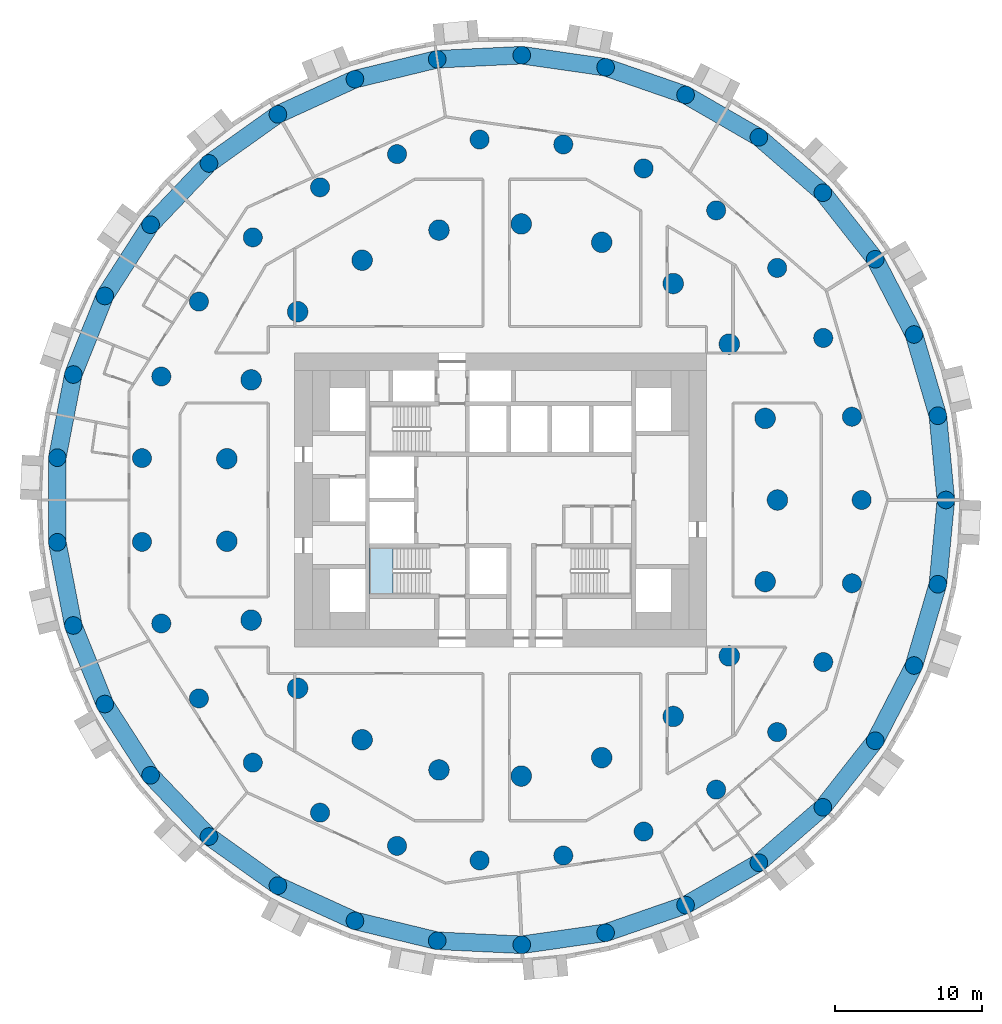
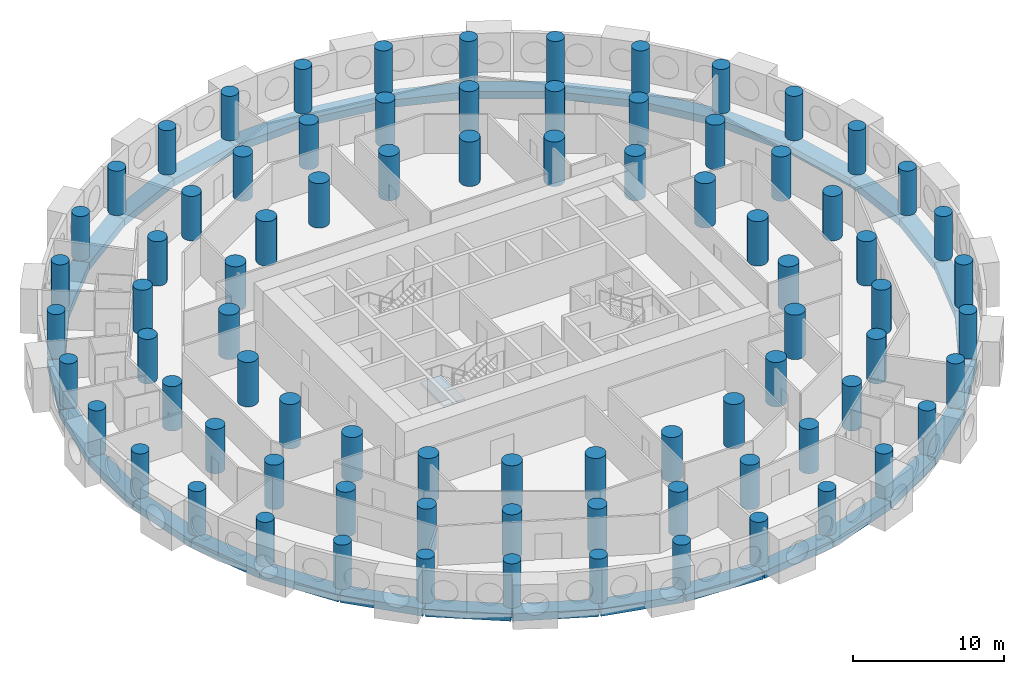
# One storey, part 1 of 11: 81 columns, 33 beams, 1 slab, 1 element without a shape of its own.
"""IFC4 building model written with IfcOpenShell, lengths in metres."""

from ifc_helpers import new_model, si_unit, direction, frame, origin, origin_2d, place, context, subcontext, project, spatial, polyline, rectangle, circle, outline, extrude, material, layer, layer_set, material_profile, profile_set, type_object, element, aggregate, save


model = new_model("IFC4")

# Units and contexts
model_context = context("Model", 3, precision=1e-05, world=origin(), true_north=direction((0.0, 1.0)))
body_context = subcontext(model_context, "Body", "Model", "MODEL_VIEW")
ifc_project = project(units=[si_unit("LENGTHUNIT", "METRE"), si_unit("AREAUNIT", "SQUARE_METRE"), si_unit("VOLUMEUNIT", "CUBIC_METRE"), si_unit("PLANEANGLEUNIT", "RADIAN"), si_unit("MASSUNIT", "GRAM", prefix="KILO")], contexts=[model_context])

# Site, building, storey
site_placement = place(None, origin())
site = spatial("IfcSite", under=ifc_project, at=site_placement, CompositionType="ELEMENT")
building_placement = place(site_placement, origin())
building = spatial("IfcBuilding", under=site, at=building_placement, Name="Tracery Tower", CompositionType="ELEMENT")
storey_placement = place(building_placement, frame((0.0, 0.0, 67.800048828125)))
storey = spatial("IfcBuildingStorey", under=building, at=storey_placement, Name="L16", CompositionType="ELEMENT", Elevation=67.800048828125)

# Columns
ifc_material_1 = material(Name="Concrete C60/75", Category="concrete")
ifc_material_profile_1 = material_profile(ifc_material_1, circle(Radius=0.60009765625, at=origin_2d()), Name="RC D1200")
ifc_profile_set_1 = profile_set([ifc_material_profile_1], Name="Concrete C60/75")
column_type_1 = type_object("IfcColumnType", Name="Ring 0 column 1200", PredefinedType="COLUMN", material=ifc_profile_set_1)
for number, where, z_axis, x_axis, name in (
    (1, (30.274658203125, 0.0, 0.0), (0.0, 0.0, 1.0), (1.0, 0.0, 0.0), "Ring 0 column 00 at L16"),
    (2, (29.7275390625, 5.7294921875, 0.0), (0.0, 0.0, 1.0), (1.0, 0.0, 0.0), "Ring 0 column 01 at L16"),
    (3, (28.10595703125, 11.251953125, 0.0), (0.0, 0.0, 1.0), (1.0, 0.0, 0.0), "Ring 0 column 02 at L16"),
    (4, (25.468505859375, 16.36767578125, 0.0), (0.0, 0.0, 1.0), (1.0, 0.0, 0.0), "Ring 0 column 03 at L16"),
    (5, (21.910888671875, 20.891845703125, 0.0), (0.0, 0.0, 1.0), (1.0, 0.0, 0.0), "Ring 0 column 04 at L16"),
    (6, (17.56103515625, 24.660888671875, 0.0), (0.0, 0.0, 1.0), (1.0, 0.0, 0.0), "Ring 0 column 05 at L16"),
    (7, (12.576416015625, 27.538818359375, 0.0), (0.0, 0.0, 1.0), (1.0, 0.0, 0.0), "Ring 0 column 06 at L16"),
    (8, (7.137451171875, 29.421142578125, 0.0), (0.0, 0.0, 1.0), (1.0, 0.0, 0.0), "Ring 0 column 07 at L16"),
    (9, (1.4404296875, 30.240234375, 0.0), (0.0, 0.0, 1.0), (1.0, 0.0, 0.0), "Ring 0 column 08 at L16"),
    (10, (-4.30859375, 29.96630859375, 0.0), (0.0, 0.0, 1.0), (1.0, 0.0, 0.0), "Ring 0 column 09 at L16"),
    (11, (-9.90185546875, 28.609619140625, 0.0), (0.0, 0.0, 1.0), (1.0, 0.0, 0.0), "Ring 0 column 10 at L16"),
    (12, (-15.13720703125, 26.218505859375, 0.0), (0.0, 0.0, 1.0), (1.0, 0.0, 0.0), "Ring 0 column 11 at L16"),
    (13, (-19.82568359375, 22.8798828125, 0.0), (0.0, 0.0, 1.0), (1.0, 0.0, 0.0), "Ring 0 column 12 at L16"),
    (14, (-23.79736328125, 18.714599609375, 0.0), (0.0, 0.0, 1.0), (1.0, 0.0, 0.0), "Ring 0 column 13 at L16"),
    (15, (-26.9091796875, 13.87255859375, 0.0), (0.0, 0.0, 1.0), (1.0, 0.0, 0.0), "Ring 0 column 14 at L16"),
    (16, (-29.04833984375, 8.529296875, 0.0), (0.0, 0.0, 1.0), (1.0, 0.0, 0.0), "Ring 0 column 15 at L16"),
    (17, (-30.137451171875, 2.877685546875, 0.0), (0.0, 0.0, 1.0), (1.0, 0.0, 0.0), "Ring 0 column 16 at L16"),
    (18, (-30.137451171875, -2.877685546875, 0.0), (0.0, 0.0, 1.0), (1.0, 0.0, 0.0), "Ring 0 column 17 at L16"),
    (19, (-29.04833984375, -8.529296875, 0.0), (0.0, 0.0, 1.0), (1.0, 0.0, 0.0), "Ring 0 column 18 at L16"),
    (20, (-26.9091796875, -13.87255859375, 0.0), (0.0, 0.0, 1.0), (1.0, 0.0, 0.0), "Ring 0 column 19 at L16"),
    (21, (-23.79736328125, -18.714599609375, 0.0), (0.0, 0.0, 1.0), (1.0, 0.0, 0.0), "Ring 0 column 20 at L16"),
    (22, (-19.82568359375, -22.8798828125, 0.0), (0.0, 0.0, 1.0), (1.0, 0.0, 0.0), "Ring 0 column 21 at L16"),
    (23, (-15.13720703125, -26.218505859375, 0.0), (0.0, 0.0, 1.0), (1.0, 0.0, 0.0), "Ring 0 column 22 at L16"),
    (24, (-9.90185546875, -28.609619140625, 0.0), (0.0, 0.0, 1.0), (1.0, 0.0, 0.0), "Ring 0 column 23 at L16"),
    (25, (-4.30859375, -29.96630859375, 0.0), (0.0, 0.0, 1.0), (1.0, 0.0, 0.0), "Ring 0 column 24 at L16"),
    (26, (1.4404296875, -30.240234375, 0.0), (0.0, 0.0, 1.0), (1.0, 0.0, 0.0), "Ring 0 column 25 at L16"),
    (27, (7.137451171875, -29.421142578125, 0.0), (0.0, 0.0, 1.0), (1.0, 0.0, 0.0), "Ring 0 column 26 at L16"),
    (28, (12.576416015625, -27.538818359375, 0.0), (0.0, 0.0, 1.0), (1.0, 0.0, 0.0), "Ring 0 column 27 at L16"),
    (29, (17.56103515625, -24.660888671875, 0.0), (0.0, 0.0, 1.0), (1.0, 0.0, 0.0), "Ring 0 column 28 at L16"),
    (30, (21.910888671875, -20.891845703125, 0.0), (0.0, 0.0, 1.0), (1.0, 0.0, 0.0), "Ring 0 column 29 at L16"),
    (31, (25.468505859375, -16.36767578125, 0.0), (0.0, 0.0, 1.0), (1.0, 0.0, 0.0), "Ring 0 column 30 at L16"),
    (32, (28.10595703125, -11.251953125, 0.0), (0.0, 0.0, 1.0), (1.0, 0.0, 0.0), "Ring 0 column 31 at L16"),
    (33, (29.7275390625, -5.7294921875, 0.0), (0.0, 0.0, 1.0), (1.0, 0.0, 0.0), "Ring 0 column 32 at L16"),
):
    element("IfcColumn", number, at=place(storey_placement, frame(where, z_axis=z_axis, x_axis=x_axis)), inside=storey, type_object=column_type_1, Name=name, PredefinedType="COLUMN", context=body_context, shape_type="SweptSolid", body=[
        extrude(circle(Radius=0.60009765625, at=origin_2d()), origin(), (0.0, 0.0, 1.0), 3.599853515625),
    ])
ifc_material_2 = material(Name="Concrete C60/75", Category="concrete")
ifc_material_profile_2 = material_profile(ifc_material_2, circle(Radius=0.64990234375, at=origin_2d()), Name="RC D1300")
ifc_profile_set_2 = profile_set([ifc_material_profile_2], Name="Concrete C60/75")
column_type_2 = type_object("IfcColumnType", Name="Ring 1 column 1300", PredefinedType="COLUMN", material=ifc_profile_set_2)
for number, where, z_axis, x_axis, name in (
    (34, (24.547607421875, 0.0, 0.0), (0.0, 0.0, 1.0), (1.0, 0.0, 0.0), "Ring 1 column 00 at L16"),
    (35, (23.885986328125, 5.6611328125, 0.0), (0.0, 0.0, 1.0), (1.0, 0.0, 0.0), "Ring 1 column 01 at L16"),
    (36, (21.9365234375, 11.01708984375, 0.0), (0.0, 0.0, 1.0), (1.0, 0.0, 0.0), "Ring 1 column 02 at L16"),
    (37, (18.8046875, 15.779052734375, 0.0), (0.0, 0.0, 1.0), (1.0, 0.0, 0.0), "Ring 1 column 03 at L16"),
    (38, (14.658935546875, 19.690185546875, 0.0), (0.0, 0.0, 1.0), (1.0, 0.0, 0.0), "Ring 1 column 04 at L16"),
    (39, (9.722900390625, 22.5400390625, 0.0), (0.0, 0.0, 1.0), (1.0, 0.0, 0.0), "Ring 1 column 05 at L16"),
    (40, (4.2626953125, 24.1748046875, 0.0), (0.0, 0.0, 1.0), (1.0, 0.0, 0.0), "Ring 1 column 06 at L16"),
    (41, (-1.42724609375, 24.506103515625, 0.0), (0.0, 0.0, 1.0), (1.0, 0.0, 0.0), "Ring 1 column 07 at L16"),
    (42, (-7.040283203125, 23.516357421875, 0.0), (0.0, 0.0, 1.0), (1.0, 0.0, 0.0), "Ring 1 column 08 at L16"),
    (43, (-12.273681640625, 21.2587890625, 0.0), (0.0, 0.0, 1.0), (1.0, 0.0, 0.0), "Ring 1 column 09 at L16"),
    (44, (-16.845703125, 17.855224609375, 0.0), (0.0, 0.0, 1.0), (1.0, 0.0, 0.0), "Ring 1 column 10 at L16"),
    (45, (-20.50927734375, 13.4892578125, 0.0), (0.0, 0.0, 1.0), (1.0, 0.0, 0.0), "Ring 1 column 11 at L16"),
    (46, (-23.0673828125, 8.395751953125, 0.0), (0.0, 0.0, 1.0), (1.0, 0.0, 0.0), "Ring 1 column 12 at L16"),
    (47, (-24.381591796875, 2.849853515625, 0.0), (0.0, 0.0, 1.0), (1.0, 0.0, 0.0), "Ring 1 column 13 at L16"),
    (48, (-24.381591796875, -2.849853515625, 0.0), (0.0, 0.0, 1.0), (1.0, 0.0, 0.0), "Ring 1 column 14 at L16"),
    (49, (-23.0673828125, -8.395751953125, 0.0), (0.0, 0.0, 1.0), (1.0, 0.0, 0.0), "Ring 1 column 15 at L16"),
    (50, (-20.50927734375, -13.4892578125, 0.0), (0.0, 0.0, 1.0), (1.0, 0.0, 0.0), "Ring 1 column 16 at L16"),
    (51, (-16.845703125, -17.85546875, 0.0), (0.0, 0.0, 1.0), (1.0, 0.0, 0.0), "Ring 1 column 17 at L16"),
    (52, (-12.27392578125, -21.2587890625, 0.0), (0.0, 0.0, 1.0), (1.0, 0.0, 0.0), "Ring 1 column 18 at L16"),
    (53, (-7.040283203125, -23.516357421875, 0.0), (0.0, 0.0, 1.0), (1.0, 0.0, 0.0), "Ring 1 column 19 at L16"),
    (54, (-1.42724609375, -24.506103515625, 0.0), (0.0, 0.0, 1.0), (1.0, 0.0, 0.0), "Ring 1 column 20 at L16"),
    (55, (4.2626953125, -24.1748046875, 0.0), (0.0, 0.0, 1.0), (1.0, 0.0, 0.0), "Ring 1 column 21 at L16"),
    (56, (9.722900390625, -22.5400390625, 0.0), (0.0, 0.0, 1.0), (1.0, 0.0, 0.0), "Ring 1 column 22 at L16"),
    (57, (14.658935546875, -19.690185546875, 0.0), (0.0, 0.0, 1.0), (1.0, 0.0, 0.0), "Ring 1 column 23 at L16"),
    (58, (18.8046875, -15.779052734375, 0.0), (0.0, 0.0, 1.0), (1.0, 0.0, 0.0), "Ring 1 column 24 at L16"),
    (59, (21.9365234375, -11.01708984375, 0.0), (0.0, 0.0, 1.0), (1.0, 0.0, 0.0), "Ring 1 column 25 at L16"),
    (60, (23.885986328125, -5.6611328125, 0.0), (0.0, 0.0, 1.0), (1.0, 0.0, 0.0), "Ring 1 column 26 at L16"),
):
    element("IfcColumn", number, at=place(storey_placement, frame(where, z_axis=z_axis, x_axis=x_axis)), inside=storey, type_object=column_type_2, Name=name, PredefinedType="COLUMN", context=body_context, shape_type="SweptSolid", body=[
        extrude(circle(Radius=0.64990234375, at=origin_2d()), origin(), (0.0, 0.0, 1.0), 3.599853515625),
    ])
ifc_material_3 = material(Name="Concrete C60/75", Category="concrete")
ifc_material_profile_3 = material_profile(ifc_material_3, circle(Radius=0.699951171875, at=origin_2d()), Name="RC D1400")
ifc_profile_set_3 = profile_set([ifc_material_profile_3], Name="Concrete C60/75")
column_type_3 = type_object("IfcColumnType", Name="Ring 2 column 1400", PredefinedType="COLUMN", material=ifc_profile_set_3)
for number, where, z_axis, x_axis, name in (
    (61, (18.822265625, 0.0, 0.0), (0.0, 0.0, 1.0), (1.0, 0.0, 0.0), "Ring 2 column 00 at L16"),
    (62, (17.986083984375, 5.5478515625, 0.0), (0.0, 0.0, 1.0), (1.0, 0.0, 0.0), "Ring 2 column 01 at L16"),
    (63, (15.551513671875, 10.602783203125, 0.0), (0.0, 0.0, 1.0), (1.0, 0.0, 0.0), "Ring 2 column 02 at L16"),
    (64, (11.7353515625, 14.7158203125, 0.0), (0.0, 0.0, 1.0), (1.0, 0.0, 0.0), "Ring 2 column 03 at L16"),
    (65, (6.87646484375, 17.52099609375, 0.0), (0.0, 0.0, 1.0), (1.0, 0.0, 0.0), "Ring 2 column 04 at L16"),
    (66, (1.406494140625, 18.76953125, 0.0), (0.0, 0.0, 1.0), (1.0, 0.0, 0.0), "Ring 2 column 05 at L16"),
    (67, (-4.188232421875, 18.350341796875, 0.0), (0.0, 0.0, 1.0), (1.0, 0.0, 0.0), "Ring 2 column 06 at L16"),
    (68, (-9.4111328125, 16.300537109375, 0.0), (0.0, 0.0, 1.0), (1.0, 0.0, 0.0), "Ring 2 column 07 at L16"),
    (69, (-13.797607421875, 12.802490234375, 0.0), (0.0, 0.0, 1.0), (1.0, 0.0, 0.0), "Ring 2 column 08 at L16"),
    (70, (-16.958251953125, 8.16650390625, 0.0), (0.0, 0.0, 1.0), (1.0, 0.0, 0.0), "Ring 2 column 09 at L16"),
    (71, (-18.612060546875, 2.805419921875, 0.0), (0.0, 0.0, 1.0), (1.0, 0.0, 0.0), "Ring 2 column 10 at L16"),
    (72, (-18.612060546875, -2.805419921875, 0.0), (0.0, 0.0, 1.0), (1.0, 0.0, 0.0), "Ring 2 column 11 at L16"),
    (73, (-16.958251953125, -8.166748046875, 0.0), (0.0, 0.0, 1.0), (1.0, 0.0, 0.0), "Ring 2 column 12 at L16"),
    (74, (-13.797607421875, -12.80224609375, 0.0), (0.0, 0.0, 1.0), (1.0, 0.0, 0.0), "Ring 2 column 13 at L16"),
    (75, (-9.4111328125, -16.300537109375, 0.0), (0.0, 0.0, 1.0), (1.0, 0.0, 0.0), "Ring 2 column 14 at L16"),
    (76, (-4.188232421875, -18.350341796875, 0.0), (0.0, 0.0, 1.0), (1.0, 0.0, 0.0), "Ring 2 column 15 at L16"),
    (77, (1.406494140625, -18.76953125, 0.0), (0.0, 0.0, 1.0), (1.0, 0.0, 0.0), "Ring 2 column 16 at L16"),
    (78, (6.87646484375, -17.52099609375, 0.0), (0.0, 0.0, 1.0), (1.0, 0.0, 0.0), "Ring 2 column 17 at L16"),
    (79, (11.7353515625, -14.7158203125, 0.0), (0.0, 0.0, 1.0), (1.0, 0.0, 0.0), "Ring 2 column 18 at L16"),
    (80, (15.551513671875, -10.602783203125, 0.0), (0.0, 0.0, 1.0), (1.0, 0.0, 0.0), "Ring 2 column 19 at L16"),
    (81, (17.986083984375, -5.5478515625, 0.0), (0.0, 0.0, 1.0), (1.0, 0.0, 0.0), "Ring 2 column 20 at L16"),
):
    element("IfcColumn", number, at=place(storey_placement, frame(where, z_axis=z_axis, x_axis=x_axis)), inside=storey, type_object=column_type_3, Name=name, PredefinedType="COLUMN", context=body_context, shape_type="SweptSolid", body=[
        extrude(circle(Radius=0.699951171875, at=origin_2d()), origin(), (0.0, 0.0, 1.0), 3.599853515625),
    ])

# Beams
ifc_material_4 = material(Name="Concrete C60/75", Category="concrete")
ifc_material_profile_4 = material_profile(ifc_material_4, rectangle(XDim=1.199951171875, YDim=0.60009765625, at=origin_2d()), Name="RC 1200x600")
ifc_profile_set_4 = profile_set([ifc_material_profile_4], Name="Concrete C60/75")
beam_type = type_object("IfcBeamType", Name="Perimeter band beam 1200x600", PredefinedType="BEAM", material=ifc_profile_set_4)
for number, where, z_axis, x_axis, name in (
    (82, (30.274658203125, 0.0, -0.75), (-0.095059309677, 0.995471610667, 0.0), (-0.995471610667, -0.095059309677, 0.0), "Perimeter beam 0.00 under L16"),
    (83, (29.7275390625, 5.7294921875, -0.75), (-0.281739145896, 0.959491038869, 0.0), (-0.959491038869, -0.281739145896, 0.0), "Perimeter beam 0.01 under L16"),
    (84, (28.10595703125, 11.251953125, -0.75), (-0.458242010493, 0.88882746347, 0.0), (-0.88882746347, -0.458242010493, 0.0), "Perimeter beam 0.02 under L16"),
):
    element("IfcBeam", number, at=place(storey_placement, frame(where, z_axis=z_axis, x_axis=x_axis)), inside=storey, type_object=beam_type, Name=name, PredefinedType="BEAM", context=body_context, shape_type="SweptSolid", body=[
        extrude(rectangle(XDim=1.199951171875, YDim=0.60009765625, at=origin_2d()), origin(), (0.0, 0.0, 1.0), 5.755615234375),
    ])
beam_1_placement = place(storey_placement, frame((25.468505859375, 16.36767578125, -0.75), z_axis=(-0.618134362257, 0.786072458618, 0.0), x_axis=(-0.786072458618, -0.618134362257, 0.0)))
element("IfcBeam", 85, at=beam_1_placement, inside=storey, type_object=beam_type, Name="Perimeter beam 0.03 under L16", PredefinedType="BEAM", context=body_context, shape_type="SweptSolid", body=[
    extrude(rectangle(XDim=1.199951171875, YDim=0.60009765625, at=origin_2d()), origin(), (0.0, 0.0, 1.0), 5.75537109375),
])
beam_2_placement = place(storey_placement, frame((21.910888671875, 20.891845703125, -0.75), z_axis=(-0.755760456715, 0.65484817482, 0.0), x_axis=(-0.65484817482, -0.755760456715, 0.0)))
element("IfcBeam", 86, at=beam_2_placement, inside=storey, type_object=beam_type, Name="Perimeter beam 0.04 under L16", PredefinedType="BEAM", context=body_context, shape_type="SweptSolid", body=[
    extrude(rectangle(XDim=1.199951171875, YDim=0.60009765625, at=origin_2d()), origin(), (0.0, 0.0, 1.0), 5.755615234375),
])
beam_3_placement = place(storey_placement, frame((17.56103515625, 24.660888671875, -0.75), z_axis=(-0.866021003874, 0.50000762079, 0.0), x_axis=(-0.50000762079, -0.866021003874, 0.0)))
element("IfcBeam", 87, at=beam_3_placement, inside=storey, type_object=beam_type, Name="Perimeter beam 0.05 under L16", PredefinedType="BEAM", context=body_context, shape_type="SweptSolid", body=[
    extrude(rectangle(XDim=1.199951171875, YDim=0.60009765625, at=origin_2d()), origin(), (0.0, 0.0, 1.0), 5.755859375),
])
beam_4_placement = place(storey_placement, frame((12.576416015625, 27.538818359375, -0.75), z_axis=(-0.945007252869, 0.327049372458, 0.0), x_axis=(-0.327049372458, -0.945007252869, 0.0)))
element("IfcBeam", 88, at=beam_4_placement, inside=storey, type_object=beam_type, Name="Perimeter beam 0.06 under L16", PredefinedType="BEAM", context=body_context, shape_type="SweptSolid", body=[
    extrude(rectangle(XDim=1.199951171875, YDim=0.60009765625, at=origin_2d()), origin(), (0.0, 0.0, 1.0), 5.75537109375),
])
for number, where, z_axis, x_axis, name in (
    (89, (7.137451171875, 29.421142578125, -0.75), (-0.989821839174, 0.142312075013, 0.0), (-0.142312075013, -0.989821839174, 0.0), "Perimeter beam 0.07 under L16"),
    (90, (1.4404296875, 30.240234375, -0.75), (-0.998866793759, -0.047593364303, 0.0), (0.047593364303, -0.998866793759, 0.0), "Perimeter beam 0.08 under L16"),
):
    element("IfcBeam", number, at=place(storey_placement, frame(where, z_axis=z_axis, x_axis=x_axis)), inside=storey, type_object=beam_type, Name=name, PredefinedType="BEAM", context=body_context, shape_type="SweptSolid", body=[
        extrude(rectangle(XDim=1.199951171875, YDim=0.60009765625, at=origin_2d()), origin(), (0.0, 0.0, 1.0), 5.755615234375),
    ])
beam_5_placement = place(storey_placement, frame((-4.30859375, 29.96630859375, -0.75), z_axis=(-0.971820371509, -0.235722645328, 0.0), x_axis=(0.235722645328, -0.971820371509, 0.0)))
element("IfcBeam", 91, at=beam_5_placement, inside=storey, type_object=beam_type, Name="Perimeter beam 0.09 under L16", PredefinedType="BEAM", context=body_context, shape_type="SweptSolid", body=[
    extrude(rectangle(XDim=1.199951171875, YDim=0.60009765625, at=origin_2d()), origin(), (0.0, 0.0, 1.0), 5.75537109375),
])
for number, where, z_axis, x_axis, name in (
    (92, (-9.90185546875, 28.609619140625, -0.75), (-0.909618316865, -0.415444963411, 0.0), (0.415444963411, -0.909618316865, 0.0), "Perimeter beam 0.10 under L16"),
    (93, (-15.13720703125, 26.218505859375, -0.75), (-0.8145780864, -0.580053912285, 0.0), (0.580053912285, -0.8145780864, 0.0), "Perimeter beam 0.11 under L16"),
):
    element("IfcBeam", number, at=place(storey_placement, frame(where, z_axis=z_axis, x_axis=x_axis)), inside=storey, type_object=beam_type, Name=name, PredefinedType="BEAM", context=body_context, shape_type="SweptSolid", body=[
        extrude(rectangle(XDim=1.199951171875, YDim=0.60009765625, at=origin_2d()), origin(), (0.0, 0.0, 1.0), 5.755615234375),
    ])
beam_6_placement = place(storey_placement, frame((-19.82568359375, 22.8798828125, -0.75), z_axis=(-0.690087218267, -0.723726212863, 0.0), x_axis=(0.723726212863, -0.690087218267, 0.0)))
element("IfcBeam", 94, at=beam_6_placement, inside=storey, type_object=beam_type, Name="Perimeter beam 0.12 under L16", PredefinedType="BEAM", context=body_context, shape_type="SweptSolid", body=[
    extrude(rectangle(XDim=1.199951171875, YDim=0.60009765625, at=origin_2d()), origin(), (0.0, 0.0, 1.0), 5.75537109375),
])
beam_7_placement = place(storey_placement, frame((-23.79736328125, 18.714599609375, -0.75), z_axis=(-0.540643964602, -0.841251510274, 0.0), x_axis=(0.841251510274, -0.540643964602, 0.0)))
element("IfcBeam", 95, at=beam_7_placement, inside=storey, type_object=beam_type, Name="Perimeter beam 0.13 under L16", PredefinedType="BEAM", context=body_context, shape_type="SweptSolid", body=[
    extrude(rectangle(XDim=1.199951171875, YDim=0.60009765625, at=origin_2d()), origin(), (0.0, 0.0, 1.0), 5.755859375),
])
for number, where, z_axis, x_axis, name in (
    (96, (-26.9091796875, 13.87255859375, -0.75), (-0.371668572289, -0.928365484264, 0.0), (0.928365484264, -0.371668572289, 0.0), "Perimeter beam 0.14 under L16"),
    (97, (-29.04833984375, 8.529296875, -0.75), (-0.189226539295, -0.981933458451, 0.0), (0.981933458451, -0.189226539295, 0.0), "Perimeter beam 0.15 under L16"),
):
    element("IfcBeam", number, at=place(storey_placement, frame(where, z_axis=z_axis, x_axis=x_axis)), inside=storey, type_object=beam_type, Name=name, PredefinedType="BEAM", context=body_context, shape_type="SweptSolid", body=[
        extrude(rectangle(XDim=1.199951171875, YDim=0.60009765625, at=origin_2d()), origin(), (0.0, 0.0, 1.0), 5.755615234375),
    ])
beam_8_placement = place(storey_placement, frame((-30.137451171875, 2.877685546875, -0.75), z_axis=(0.0, -1.0, 0.0), x_axis=(1.0, 0.0, 0.0)))
element("IfcBeam", 98, at=beam_8_placement, inside=storey, type_object=beam_type, Name="Perimeter beam 0.16 under L16", PredefinedType="BEAM", context=body_context, shape_type="SweptSolid", body=[
    extrude(rectangle(XDim=1.199951171875, YDim=0.60009765625, at=origin_2d()), origin(), (0.0, 0.0, 1.0), 5.75537109375),
])
for number, where, z_axis, x_axis, name in (
    (99, (-30.137451171875, -2.877685546875, -0.75), (0.189226539295, -0.981933458451, 0.0), (0.981933458451, 0.189226539295, 0.0), "Perimeter beam 0.17 under L16"),
    (100, (-29.04833984375, -8.529296875, -0.75), (0.371668572289, -0.928365484264, 0.0), (0.928365484264, 0.371668572289, 0.0), "Perimeter beam 0.18 under L16"),
):
    element("IfcBeam", number, at=place(storey_placement, frame(where, z_axis=z_axis, x_axis=x_axis)), inside=storey, type_object=beam_type, Name=name, PredefinedType="BEAM", context=body_context, shape_type="SweptSolid", body=[
        extrude(rectangle(XDim=1.199951171875, YDim=0.60009765625, at=origin_2d()), origin(), (0.0, 0.0, 1.0), 5.755615234375),
    ])
beam_9_placement = place(storey_placement, frame((-26.9091796875, -13.87255859375, -0.75), z_axis=(0.540643964602, -0.841251510274, 0.0), x_axis=(0.841251510274, 0.540643964602, 0.0)))
element("IfcBeam", 101, at=beam_9_placement, inside=storey, type_object=beam_type, Name="Perimeter beam 0.19 under L16", PredefinedType="BEAM", context=body_context, shape_type="SweptSolid", body=[
    extrude(rectangle(XDim=1.199951171875, YDim=0.60009765625, at=origin_2d()), origin(), (0.0, 0.0, 1.0), 5.755859375),
])
beam_10_placement = place(storey_placement, frame((-23.79736328125, -18.714599609375, -0.75), z_axis=(0.690087218267, -0.723726212863, 0.0), x_axis=(0.723726212863, 0.690087218267, 0.0)))
element("IfcBeam", 102, at=beam_10_placement, inside=storey, type_object=beam_type, Name="Perimeter beam 0.20 under L16", PredefinedType="BEAM", context=body_context, shape_type="SweptSolid", body=[
    extrude(rectangle(XDim=1.199951171875, YDim=0.60009765625, at=origin_2d()), origin(), (0.0, 0.0, 1.0), 5.75537109375),
])
for number, where, z_axis, x_axis, name in (
    (103, (-19.82568359375, -22.8798828125, -0.75), (0.8145780864, -0.580053912285, 0.0), (0.580053912285, 0.8145780864, 0.0), "Perimeter beam 0.21 under L16"),
    (104, (-15.13720703125, -26.218505859375, -0.75), (0.909618316865, -0.415444963411, 0.0), (0.415444963411, 0.909618316865, 0.0), "Perimeter beam 0.22 under L16"),
):
    element("IfcBeam", number, at=place(storey_placement, frame(where, z_axis=z_axis, x_axis=x_axis)), inside=storey, type_object=beam_type, Name=name, PredefinedType="BEAM", context=body_context, shape_type="SweptSolid", body=[
        extrude(rectangle(XDim=1.199951171875, YDim=0.60009765625, at=origin_2d()), origin(), (0.0, 0.0, 1.0), 5.755615234375),
    ])
beam_11_placement = place(storey_placement, frame((-9.90185546875, -28.609619140625, -0.75), z_axis=(0.971820371509, -0.235722645328, 0.0), x_axis=(0.235722645328, 0.971820371509, 0.0)))
element("IfcBeam", 105, at=beam_11_placement, inside=storey, type_object=beam_type, Name="Perimeter beam 0.23 under L16", PredefinedType="BEAM", context=body_context, shape_type="SweptSolid", body=[
    extrude(rectangle(XDim=1.199951171875, YDim=0.60009765625, at=origin_2d()), origin(), (0.0, 0.0, 1.0), 5.75537109375),
])
for number, where, z_axis, x_axis, name in (
    (106, (-4.30859375, -29.96630859375, -0.75), (0.998866793759, -0.047593364303, 0.0), (0.047593364303, 0.998866793759, 0.0), "Perimeter beam 0.24 under L16"),
    (107, (1.4404296875, -30.240234375, -0.75), (0.989821839174, 0.142312075013, 0.0), (-0.142312075013, 0.989821839174, 0.0), "Perimeter beam 0.25 under L16"),
):
    element("IfcBeam", number, at=place(storey_placement, frame(where, z_axis=z_axis, x_axis=x_axis)), inside=storey, type_object=beam_type, Name=name, PredefinedType="BEAM", context=body_context, shape_type="SweptSolid", body=[
        extrude(rectangle(XDim=1.199951171875, YDim=0.60009765625, at=origin_2d()), origin(), (0.0, 0.0, 1.0), 5.755615234375),
    ])
beam_12_placement = place(storey_placement, frame((7.137451171875, -29.421142578125, -0.75), z_axis=(0.945007252869, 0.327049372458, 0.0), x_axis=(-0.327049372458, 0.945007252869, 0.0)))
element("IfcBeam", 108, at=beam_12_placement, inside=storey, type_object=beam_type, Name="Perimeter beam 0.26 under L16", PredefinedType="BEAM", context=body_context, shape_type="SweptSolid", body=[
    extrude(rectangle(XDim=1.199951171875, YDim=0.60009765625, at=origin_2d()), origin(), (0.0, 0.0, 1.0), 5.75537109375),
])
beam_13_placement = place(storey_placement, frame((12.576416015625, -27.538818359375, -0.75), z_axis=(0.866021003874, 0.50000762079, 0.0), x_axis=(-0.50000762079, 0.866021003874, 0.0)))
element("IfcBeam", 109, at=beam_13_placement, inside=storey, type_object=beam_type, Name="Perimeter beam 0.27 under L16", PredefinedType="BEAM", context=body_context, shape_type="SweptSolid", body=[
    extrude(rectangle(XDim=1.199951171875, YDim=0.60009765625, at=origin_2d()), origin(), (0.0, 0.0, 1.0), 5.755859375),
])
beam_14_placement = place(storey_placement, frame((17.56103515625, -24.660888671875, -0.75), z_axis=(0.755760456715, 0.65484817482, 0.0), x_axis=(-0.65484817482, 0.755760456715, 0.0)))
element("IfcBeam", 110, at=beam_14_placement, inside=storey, type_object=beam_type, Name="Perimeter beam 0.28 under L16", PredefinedType="BEAM", context=body_context, shape_type="SweptSolid", body=[
    extrude(rectangle(XDim=1.199951171875, YDim=0.60009765625, at=origin_2d()), origin(), (0.0, 0.0, 1.0), 5.755615234375),
])
beam_15_placement = place(storey_placement, frame((21.910888671875, -20.891845703125, -0.75), z_axis=(0.618134362257, 0.786072458618, 0.0), x_axis=(-0.786072458618, 0.618134362257, 0.0)))
element("IfcBeam", 111, at=beam_15_placement, inside=storey, type_object=beam_type, Name="Perimeter beam 0.29 under L16", PredefinedType="BEAM", context=body_context, shape_type="SweptSolid", body=[
    extrude(rectangle(XDim=1.199951171875, YDim=0.60009765625, at=origin_2d()), origin(), (0.0, 0.0, 1.0), 5.75537109375),
])
for number, where, z_axis, x_axis, name in (
    (112, (25.468505859375, -16.36767578125, -0.75), (0.458242010493, 0.88882746347, 0.0), (-0.88882746347, 0.458242010493, 0.0), "Perimeter beam 0.30 under L16"),
    (113, (28.10595703125, -11.251953125, -0.75), (0.281739145896, 0.959491038869, 0.0), (-0.959491038869, 0.281739145896, 0.0), "Perimeter beam 0.31 under L16"),
    (114, (29.7275390625, -5.7294921875, -0.75), (0.095059309677, 0.995471610667, 0.0), (-0.995471610667, 0.095059309677, 0.0), "Perimeter beam 0.32 under L16"),
):
    element("IfcBeam", number, at=place(storey_placement, frame(where, z_axis=z_axis, x_axis=x_axis)), inside=storey, type_object=beam_type, Name=name, PredefinedType="BEAM", context=body_context, shape_type="SweptSolid", body=[
        extrude(rectangle(XDim=1.199951171875, YDim=0.60009765625, at=origin_2d()), origin(), (0.0, 0.0, 1.0), 5.755615234375),
    ])

# Stair, slab
ifc_material_5 = material(Name="Concrete C32/40", Category="concrete")
stair_type = type_object("IfcStairType", Name="Core stair 22 risers", PredefinedType="HALF_TURN_STAIR", material=ifc_material_5)
stair_placement = place(storey_placement, origin())
stair = element("IfcStair", 115, at=stair_placement, inside=storey, type_object=stair_type, Name="L16 stair ST1", PredefinedType="HALF_TURN_STAIR")
ifc_material_6 = material(Name="Concrete C32/40", Category="concrete")
ifc_layer = layer(ifc_material_6, 0.199951171875)
ifc_layer_set = layer_set([ifc_layer], Name="Stair landing slab 200")
slab_type = type_object("IfcSlabType", Name="Stair landing slab 200", PredefinedType="LANDING", material=ifc_layer_set)
slab_placement = place(storey_placement, frame((0.0, 0.0, 1.599853515625)))
slab = element("IfcSlab", 116, at=slab_placement, type_object=slab_type, Name="ST1 landing 1", PredefinedType="LANDING", context=body_context, shape_type="SweptSolid", body=[
    extrude(outline(polyline([(-7.29931640625, -3.25), (-8.89990234375, -3.25), (-8.89990234375, -6.39990234375), (-7.29931640625, -6.39990234375), (-7.29931640625, -3.25)])), origin(), (0.0, 0.0, 1.0), 0.2001953125),
])
aggregate(stair, [slab])

save(model, "model.ifc")
